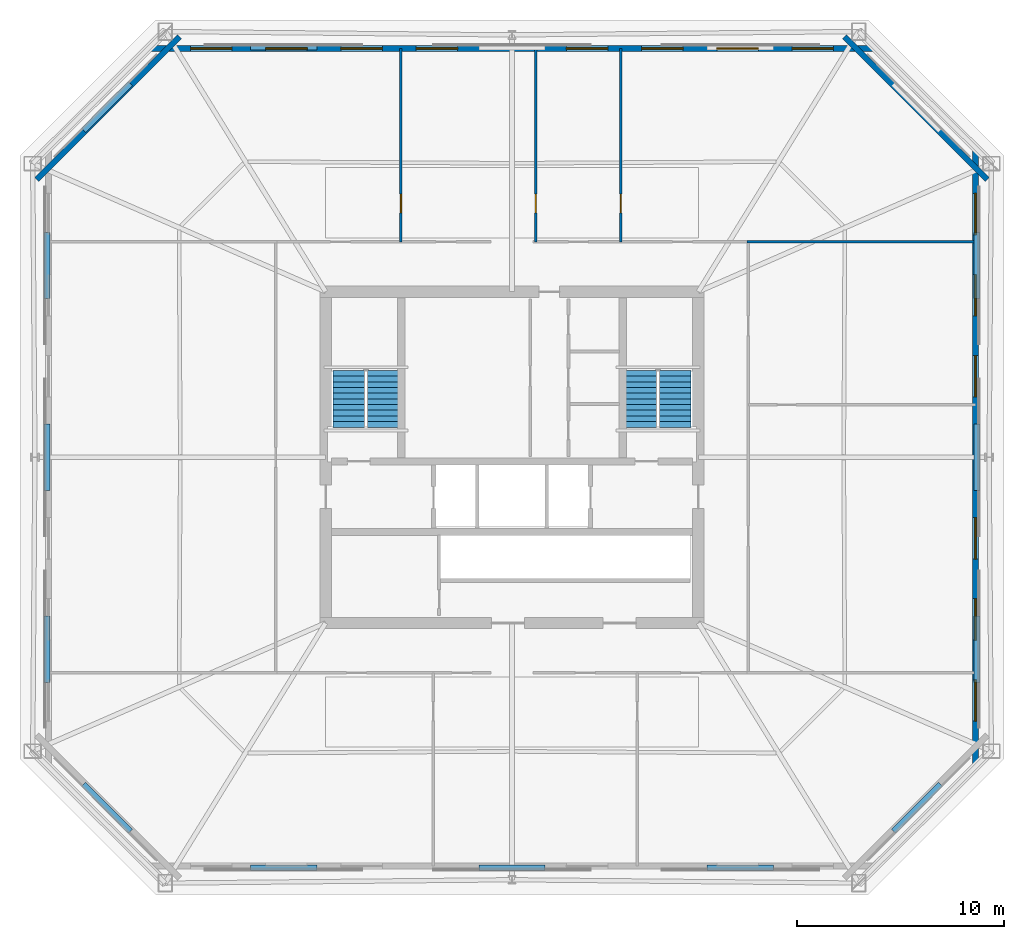
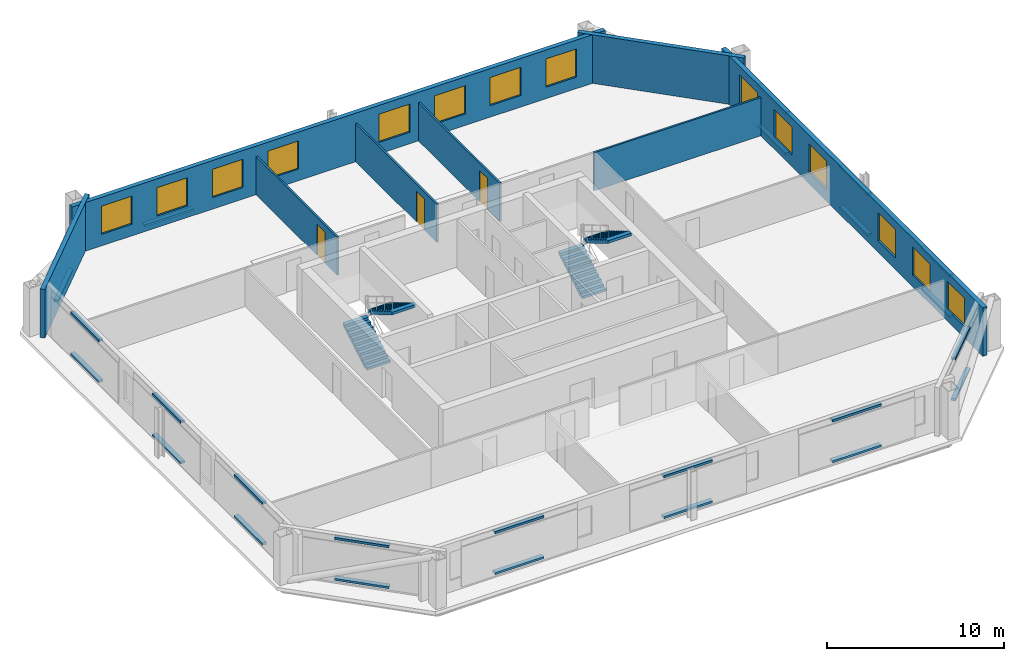
# One storey, part 4 of 7: 25 discrete accessories, 14 windows, 8 walls, 4 stair flights, 3 doors, 17 openings, 2 elements without a shape of their own.
"""IFC4 building model written with IfcOpenShell, lengths in metres."""

from ifc_helpers import new_model, si_unit, direction, frame, frame_2d, origin, origin_2d, place, context, subcontext, project, spatial, polyline, rectangle, outline, extrude, material, layer, layer_set, type_object, element, fill, aggregate, save


model = new_model("IFC4")

# Units and contexts
model_context = context("Model", 3, precision=1e-05, world=origin(), true_north=direction((0.0, 1.0)))
body_context = subcontext(model_context, "Body", "Model", "MODEL_VIEW")
ifc_project = project(units=[si_unit("LENGTHUNIT", "METRE"), si_unit("AREAUNIT", "SQUARE_METRE"), si_unit("VOLUMEUNIT", "CUBIC_METRE"), si_unit("PLANEANGLEUNIT", "RADIAN"), si_unit("MASSUNIT", "GRAM", prefix="KILO")], contexts=[model_context])

# Site, building, storey
site_placement = place(None, origin())
site = spatial("IfcSite", under=ifc_project, at=site_placement, CompositionType="ELEMENT")
building_placement = place(site_placement, origin())
building = spatial("IfcBuilding", under=site, at=building_placement, Name="Caelvoria Tower", CompositionType="ELEMENT")
storey_placement = place(building_placement, frame((0.0, 0.0, 177.0)))
storey = spatial("IfcBuildingStorey", under=building, at=storey_placement, Name="L46", CompositionType="ELEMENT", Elevation=177.0)

# Wall, openings, windows
ifc_material_1 = material(Name="Precast Concrete C40/50 with Bronze Cladding", Category="concrete")
ifc_layer_1 = layer(ifc_material_1, 0.280029296875, Name="Precast Concrete C40/50 with Bronze Cladding")
ifc_layer_set_1 = layer_set([ifc_layer_1], Name="Exterior Precast Concrete C40/50 Bronze-Clad Facade Wall 280 - Precast Concrete C40/50 with Bronze Cladding")
wall_type_1 = type_object("IfcWallType", Name="Exterior Precast Concrete C40/50 Bronze-Clad Facade Wall 280", PredefinedType="STANDARD", material=ifc_layer_set_1)
wall_1_placement = place(storey_placement, frame((68.3798828125, 17.199951171875, 0.0), z_axis=(0.0, 0.0, 1.0), x_axis=(0.0, 1.0, 0.0)))
wall_1 = element("IfcWall", 1, at=wall_1_placement, inside=storey, type_object=wall_type_1, Name="Exterior Facade Wall L46-E2", PredefinedType="STANDARD", context=body_context, shape_type="SweptSolid", body=[
    extrude(rectangle(XDim=29.60009765625, YDim=0.280029296875, at=frame_2d((14.800048828125, 0.0))), origin(), (0.0, 0.0, 1.0), 3.360107421875),
])
opening_1_placement = place(wall_1_placement, frame((2.05712890625, 0.0, 0.800048828125)))
opening_1 = element("IfcOpeningElement", 2, at=opening_1_placement, cuts=wall_1, Name="Opening WN-01", PredefinedType="OPENING", context=body_context, shape_type="SweptSolid", body=[
    extrude(rectangle(XDim=2.0, YDim=1.949951171875, at=frame_2d((1.0, 0.97509765625))), frame((0.0, 0.14990234375, 0.0), z_axis=(0.0, -1.0, 0.0), x_axis=(1.0, 0.0, 0.0)), (0.0, 0.0, 1.0), 0.300048828125),
])
opening_2_placement = place(wall_1_placement, frame((5.971435546875, 0.0, 0.800048828125)))
opening_2 = element("IfcOpeningElement", 3, at=opening_2_placement, cuts=wall_1, Name="Opening WN-01", PredefinedType="OPENING", context=body_context, shape_type="SweptSolid", body=[
    extrude(rectangle(XDim=2.0, YDim=1.949951171875, at=frame_2d((1.0, 0.97509765625))), frame((0.0, 0.14990234375, 0.0), z_axis=(0.0, -1.0, 0.0), x_axis=(1.0, 0.0, 0.0)), (0.0, 0.0, 1.0), 0.300048828125),
])
opening_3_placement = place(wall_1_placement, frame((9.8857421875, 0.0, 0.800048828125)))
opening_3 = element("IfcOpeningElement", 4, at=opening_3_placement, cuts=wall_1, Name="Opening WN-01", PredefinedType="OPENING", context=body_context, shape_type="SweptSolid", body=[
    extrude(rectangle(XDim=2.0, YDim=1.949951171875, at=frame_2d((1.0, 0.97509765625))), frame((0.0, 0.14990234375, 0.0), z_axis=(0.0, -1.0, 0.0), x_axis=(1.0, 0.0, 0.0)), (0.0, 0.0, 1.0), 0.300048828125),
])
opening_4_placement = place(wall_1_placement, frame((17.71435546875, 0.0, 0.800048828125)))
opening_4 = element("IfcOpeningElement", 5, at=opening_4_placement, cuts=wall_1, Name="Opening WN-01", PredefinedType="OPENING", context=body_context, shape_type="SweptSolid", body=[
    extrude(rectangle(XDim=2.0, YDim=1.949951171875, at=frame_2d((1.0, 0.97509765625))), frame((0.0, 0.14990234375, 0.0), z_axis=(0.0, -1.0, 0.0), x_axis=(1.0, 0.0, 0.0)), (0.0, 0.0, 1.0), 0.300048828125),
])
opening_5_placement = place(wall_1_placement, frame((21.628662109375, 0.0, 0.800048828125)))
opening_5 = element("IfcOpeningElement", 6, at=opening_5_placement, cuts=wall_1, Name="Opening WN-01", PredefinedType="OPENING", context=body_context, shape_type="SweptSolid", body=[
    extrude(rectangle(XDim=2.0, YDim=1.949951171875, at=frame_2d((1.0, 0.97509765625))), frame((0.0, 0.14990234375, 0.0), z_axis=(0.0, -1.0, 0.0), x_axis=(1.0, 0.0, 0.0)), (0.0, 0.0, 1.0), 0.300048828125),
])
opening_6_placement = place(wall_1_placement, frame((25.54296875, 0.0, 0.800048828125)))
opening_6 = element("IfcOpeningElement", 7, at=opening_6_placement, cuts=wall_1, Name="Opening WN-01", PredefinedType="OPENING", context=body_context, shape_type="SweptSolid", body=[
    extrude(rectangle(XDim=2.0, YDim=1.949951171875, at=frame_2d((1.0, 0.97509765625))), frame((0.0, 0.14990234375, 0.0), z_axis=(0.0, -1.0, 0.0), x_axis=(1.0, 0.0, 0.0)), (0.0, 0.0, 1.0), 0.300048828125),
])
ifc_material_2 = material(Name="Low-E Tinted Glass in Bronze Aluminium Frame", Category="aluminium")
window_type = type_object("IfcWindowType", Name="Tower Office Vision Window 2000x1950", PartitioningType="SINGLE_PANEL", PredefinedType="WINDOW", material=ifc_material_2)
window_1_placement = place(opening_1_placement, origin())
window_1 = element("IfcWindow", 8, at=window_1_placement, inside=storey, type_object=window_type, Name="Facade Window L46-E2-00", OverallHeight=1.949951171875, OverallWidth=2.0, PartitioningType="SINGLE_PANEL", PredefinedType="WINDOW", context=body_context, shape_type="SweptSolid", body=[
    extrude(rectangle(XDim=2.0, YDim=1.949951171875, at=frame_2d((1.0, 0.97509765625))), frame((0.0, 0.030029296875, 0.0), z_axis=(0.0, -1.0, 0.0), x_axis=(1.0, 0.0, 0.0)), (0.0, 0.0, 1.0), 0.06005859375),
])
fill(opening_1, window_1)
window_2_placement = place(opening_2_placement, origin())
window_2 = element("IfcWindow", 9, at=window_2_placement, inside=storey, type_object=window_type, Name="Facade Window L46-E2-01", OverallHeight=1.949951171875, OverallWidth=2.0, PartitioningType="SINGLE_PANEL", PredefinedType="WINDOW", context=body_context, shape_type="SweptSolid", body=[
    extrude(rectangle(XDim=2.0, YDim=1.949951171875, at=frame_2d((1.0, 0.97509765625))), frame((0.0, 0.030029296875, 0.0), z_axis=(0.0, -1.0, 0.0), x_axis=(1.0, 0.0, 0.0)), (0.0, 0.0, 1.0), 0.06005859375),
])
fill(opening_2, window_2)
window_3_placement = place(opening_3_placement, origin())
window_3 = element("IfcWindow", 10, at=window_3_placement, inside=storey, type_object=window_type, Name="Facade Window L46-E2-02", OverallHeight=1.949951171875, OverallWidth=2.0, PartitioningType="SINGLE_PANEL", PredefinedType="WINDOW", context=body_context, shape_type="SweptSolid", body=[
    extrude(rectangle(XDim=2.0, YDim=1.949951171875, at=frame_2d((1.0, 0.97509765625))), frame((0.0, 0.030029296875, 0.0), z_axis=(0.0, -1.0, 0.0), x_axis=(1.0, 0.0, 0.0)), (0.0, 0.0, 1.0), 0.06005859375),
])
fill(opening_3, window_3)
window_4_placement = place(opening_4_placement, origin())
window_4 = element("IfcWindow", 11, at=window_4_placement, inside=storey, type_object=window_type, Name="Facade Window L46-E2-04", OverallHeight=1.949951171875, OverallWidth=2.0, PartitioningType="SINGLE_PANEL", PredefinedType="WINDOW", context=body_context, shape_type="SweptSolid", body=[
    extrude(rectangle(XDim=2.0, YDim=1.949951171875, at=frame_2d((1.0, 0.97509765625))), frame((0.0, 0.030029296875, 0.0), z_axis=(0.0, -1.0, 0.0), x_axis=(1.0, 0.0, 0.0)), (0.0, 0.0, 1.0), 0.06005859375),
])
fill(opening_4, window_4)
window_5_placement = place(opening_5_placement, origin())
window_5 = element("IfcWindow", 12, at=window_5_placement, inside=storey, type_object=window_type, Name="Facade Window L46-E2-05", OverallHeight=1.949951171875, OverallWidth=2.0, PartitioningType="SINGLE_PANEL", PredefinedType="WINDOW", context=body_context, shape_type="SweptSolid", body=[
    extrude(rectangle(XDim=2.0, YDim=1.949951171875, at=frame_2d((1.0, 0.97509765625))), frame((0.0, 0.030029296875, 0.0), z_axis=(0.0, -1.0, 0.0), x_axis=(1.0, 0.0, 0.0)), (0.0, 0.0, 1.0), 0.06005859375),
])
fill(opening_5, window_5)
window_6_placement = place(opening_6_placement, origin())
window_6 = element("IfcWindow", 13, at=window_6_placement, inside=storey, type_object=window_type, Name="Facade Window L46-E2-06", OverallHeight=1.949951171875, OverallWidth=2.0, PartitioningType="SINGLE_PANEL", PredefinedType="WINDOW", context=body_context, shape_type="SweptSolid", body=[
    extrude(rectangle(XDim=2.0, YDim=1.949951171875, at=frame_2d((1.0, 0.97509765625))), frame((0.0, 0.030029296875, 0.0), z_axis=(0.0, -1.0, 0.0), x_axis=(1.0, 0.0, 0.0)), (0.0, 0.0, 1.0), 0.06005859375),
])
fill(opening_6, window_6)

# Wall
wall_2_placement = place(storey_placement, frame((68.953857421875, 45.41455078125, 0.0), z_axis=(0.0, 0.0, 1.0), x_axis=(-0.707106781187, 0.707106781187, 0.0)))
element("IfcWall", 14, at=wall_2_placement, inside=storey, type_object=wall_type_1, Name="Exterior Facade Wall L46-E3", PredefinedType="STANDARD", context=body_context, shape_type="SweptSolid", body=[
    extrude(rectangle(XDim=9.75732421875, YDim=0.280029296875, at=frame_2d((4.878662109375, 0.0))), origin(), (0.0, 0.0, 1.0), 3.360107421875),
])

# Wall, openings, windows
wall_3_placement = place(storey_placement, frame((63.43994140625, 51.739990234375, 0.0), z_axis=(0.0, 0.0, 1.0), x_axis=(-1.0, 0.0, 0.0)))
wall_3 = element("IfcWall", 15, at=wall_3_placement, inside=storey, type_object=wall_type_1, Name="Exterior Facade Wall L46-E4", PredefinedType="STANDARD", context=body_context, shape_type="SweptSolid", body=[
    extrude(rectangle(XDim=34.8798828125, YDim=0.280029296875, at=frame_2d((17.43994140625, 0.0))), origin(), (0.0, 0.0, 1.0), 3.360107421875),
])
opening_7_placement = place(wall_3_placement, frame((1.91552734375, 0.0, 0.800048828125)))
opening_7 = element("IfcOpeningElement", 16, at=opening_7_placement, cuts=wall_3, Name="Opening WN-01", PredefinedType="OPENING", context=body_context, shape_type="SweptSolid", body=[
    extrude(rectangle(XDim=2.0, YDim=1.949951171875, at=frame_2d((1.0, 0.97509765625))), frame((0.0, 0.14990234375, 0.0), z_axis=(0.0, -1.0, 0.0), x_axis=(1.0, 0.0, 0.0)), (0.0, 0.0, 1.0), 0.300048828125),
])
opening_8_placement = place(wall_3_placement, frame((5.546630859375, 0.0, 0.800048828125)))
opening_8 = element("IfcOpeningElement", 17, at=opening_8_placement, cuts=wall_3, Name="Opening WN-01", PredefinedType="OPENING", context=body_context, shape_type="SweptSolid", body=[
    extrude(rectangle(XDim=2.0, YDim=1.949951171875, at=frame_2d((1.0, 0.97509765625))), frame((0.0, 0.14990234375, 0.0), z_axis=(0.0, -1.0, 0.0), x_axis=(1.0, 0.0, 0.0)), (0.0, 0.0, 1.0), 0.300048828125),
])
opening_9_placement = place(wall_3_placement, frame((9.177734375, 0.0, 0.800048828125)))
opening_9 = element("IfcOpeningElement", 18, at=opening_9_placement, cuts=wall_3, Name="Opening WN-01", PredefinedType="OPENING", context=body_context, shape_type="SweptSolid", body=[
    extrude(rectangle(XDim=2.0, YDim=1.949951171875, at=frame_2d((1.0, 0.97509765625))), frame((0.0, 0.14990234375, 0.0), z_axis=(0.0, -1.0, 0.0), x_axis=(1.0, 0.0, 0.0)), (0.0, 0.0, 1.0), 0.300048828125),
])
opening_10_placement = place(wall_3_placement, frame((12.808837890625, 0.0, 0.800048828125)))
opening_10 = element("IfcOpeningElement", 19, at=opening_10_placement, cuts=wall_3, Name="Opening WN-01", PredefinedType="OPENING", context=body_context, shape_type="SweptSolid", body=[
    extrude(rectangle(XDim=2.0, YDim=1.949951171875, at=frame_2d((1.0, 0.97509765625))), frame((0.0, 0.14990234375, 0.0), z_axis=(0.0, -1.0, 0.0), x_axis=(1.0, 0.0, 0.0)), (0.0, 0.0, 1.0), 0.300048828125),
])
opening_11_placement = place(wall_3_placement, frame((20.071044921875, 0.0, 0.800048828125)))
opening_11 = element("IfcOpeningElement", 20, at=opening_11_placement, cuts=wall_3, Name="Opening WN-01", PredefinedType="OPENING", context=body_context, shape_type="SweptSolid", body=[
    extrude(rectangle(XDim=2.0, YDim=1.949951171875, at=frame_2d((1.0, 0.97509765625))), frame((0.0, 0.14990234375, 0.0), z_axis=(0.0, -1.0, 0.0), x_axis=(1.0, 0.0, 0.0)), (0.0, 0.0, 1.0), 0.300048828125),
])
opening_12_placement = place(wall_3_placement, frame((23.7021484375, 0.0, 0.800048828125)))
opening_12 = element("IfcOpeningElement", 21, at=opening_12_placement, cuts=wall_3, Name="Opening WN-01", PredefinedType="OPENING", context=body_context, shape_type="SweptSolid", body=[
    extrude(rectangle(XDim=2.0, YDim=1.949951171875, at=frame_2d((1.0, 0.97509765625))), frame((0.0, 0.14990234375, 0.0), z_axis=(0.0, -1.0, 0.0), x_axis=(1.0, 0.0, 0.0)), (0.0, 0.0, 1.0), 0.300048828125),
])
opening_13_placement = place(wall_3_placement, frame((27.333251953125, 0.0, 0.800048828125)))
opening_13 = element("IfcOpeningElement", 22, at=opening_13_placement, cuts=wall_3, Name="Opening WN-01", PredefinedType="OPENING", context=body_context, shape_type="SweptSolid", body=[
    extrude(rectangle(XDim=2.0, YDim=1.949951171875, at=frame_2d((1.0, 0.97509765625))), frame((0.0, 0.14990234375, 0.0), z_axis=(0.0, -1.0, 0.0), x_axis=(1.0, 0.0, 0.0)), (0.0, 0.0, 1.0), 0.300048828125),
])
opening_14_placement = place(wall_3_placement, frame((30.96435546875, 0.0, 0.800048828125)))
opening_14 = element("IfcOpeningElement", 23, at=opening_14_placement, cuts=wall_3, Name="Opening WN-01", PredefinedType="OPENING", context=body_context, shape_type="SweptSolid", body=[
    extrude(rectangle(XDim=2.0, YDim=1.949951171875, at=frame_2d((1.0, 0.97509765625))), frame((0.0, 0.14990234375, 0.0), z_axis=(0.0, -1.0, 0.0), x_axis=(1.0, 0.0, 0.0)), (0.0, 0.0, 1.0), 0.300048828125),
])
window_7_placement = place(opening_7_placement, origin())
window_7 = element("IfcWindow", 24, at=window_7_placement, inside=storey, type_object=window_type, Name="Facade Window L46-E4-00", OverallHeight=1.949951171875, OverallWidth=2.0, PartitioningType="SINGLE_PANEL", PredefinedType="WINDOW", context=body_context, shape_type="SweptSolid", body=[
    extrude(rectangle(XDim=2.0, YDim=1.949951171875, at=frame_2d((1.0, 0.97509765625))), frame((0.0, 0.030029296875, 0.0), z_axis=(0.0, -1.0, 0.0), x_axis=(1.0, 0.0, 0.0)), (0.0, 0.0, 1.0), 0.06005859375),
])
fill(opening_7, window_7)
window_8_placement = place(opening_8_placement, origin())
window_8 = element("IfcWindow", 25, at=window_8_placement, inside=storey, type_object=window_type, Name="Facade Window L46-E4-01", OverallHeight=1.949951171875, OverallWidth=2.0, PartitioningType="SINGLE_PANEL", PredefinedType="WINDOW", context=body_context, shape_type="SweptSolid", body=[
    extrude(rectangle(XDim=2.0, YDim=1.949951171875, at=frame_2d((1.0, 0.97509765625))), frame((0.0, 0.030029296875, 0.0), z_axis=(0.0, -1.0, 0.0), x_axis=(1.0, 0.0, 0.0)), (0.0, 0.0, 1.0), 0.06005859375),
])
fill(opening_8, window_8)
window_9_placement = place(opening_9_placement, origin())
window_9 = element("IfcWindow", 26, at=window_9_placement, inside=storey, type_object=window_type, Name="Facade Window L46-E4-02", OverallHeight=1.949951171875, OverallWidth=2.0, PartitioningType="SINGLE_PANEL", PredefinedType="WINDOW", context=body_context, shape_type="SweptSolid", body=[
    extrude(rectangle(XDim=2.0, YDim=1.949951171875, at=frame_2d((1.0, 0.97509765625))), frame((0.0, 0.030029296875, 0.0), z_axis=(0.0, -1.0, 0.0), x_axis=(1.0, 0.0, 0.0)), (0.0, 0.0, 1.0), 0.06005859375),
])
fill(opening_9, window_9)
window_10_placement = place(opening_10_placement, origin())
window_10 = element("IfcWindow", 27, at=window_10_placement, inside=storey, type_object=window_type, Name="Facade Window L46-E4-03", OverallHeight=1.949951171875, OverallWidth=2.0, PartitioningType="SINGLE_PANEL", PredefinedType="WINDOW", context=body_context, shape_type="SweptSolid", body=[
    extrude(rectangle(XDim=2.0, YDim=1.949951171875, at=frame_2d((1.0, 0.97509765625))), frame((0.0, 0.030029296875, 0.0), z_axis=(0.0, -1.0, 0.0), x_axis=(1.0, 0.0, 0.0)), (0.0, 0.0, 1.0), 0.06005859375),
])
fill(opening_10, window_10)
window_11_placement = place(opening_11_placement, origin())
window_11 = element("IfcWindow", 28, at=window_11_placement, inside=storey, type_object=window_type, Name="Facade Window L46-E4-05", OverallHeight=1.949951171875, OverallWidth=2.0, PartitioningType="SINGLE_PANEL", PredefinedType="WINDOW", context=body_context, shape_type="SweptSolid", body=[
    extrude(rectangle(XDim=2.0, YDim=1.949951171875, at=frame_2d((1.0, 0.97509765625))), frame((0.0, 0.030029296875, 0.0), z_axis=(0.0, -1.0, 0.0), x_axis=(1.0, 0.0, 0.0)), (0.0, 0.0, 1.0), 0.06005859375),
])
fill(opening_11, window_11)
window_12_placement = place(opening_12_placement, origin())
window_12 = element("IfcWindow", 29, at=window_12_placement, inside=storey, type_object=window_type, Name="Facade Window L46-E4-06", OverallHeight=1.949951171875, OverallWidth=2.0, PartitioningType="SINGLE_PANEL", PredefinedType="WINDOW", context=body_context, shape_type="SweptSolid", body=[
    extrude(rectangle(XDim=2.0, YDim=1.949951171875, at=frame_2d((1.0, 0.97509765625))), frame((0.0, 0.030029296875, 0.0), z_axis=(0.0, -1.0, 0.0), x_axis=(1.0, 0.0, 0.0)), (0.0, 0.0, 1.0), 0.06005859375),
])
fill(opening_12, window_12)
window_13_placement = place(opening_13_placement, origin())
window_13 = element("IfcWindow", 30, at=window_13_placement, inside=storey, type_object=window_type, Name="Facade Window L46-E4-07", OverallHeight=1.949951171875, OverallWidth=2.0, PartitioningType="SINGLE_PANEL", PredefinedType="WINDOW", context=body_context, shape_type="SweptSolid", body=[
    extrude(rectangle(XDim=2.0, YDim=1.949951171875, at=frame_2d((1.0, 0.97509765625))), frame((0.0, 0.030029296875, 0.0), z_axis=(0.0, -1.0, 0.0), x_axis=(1.0, 0.0, 0.0)), (0.0, 0.0, 1.0), 0.06005859375),
])
fill(opening_13, window_13)
window_14_placement = place(opening_14_placement, origin())
window_14 = element("IfcWindow", 31, at=window_14_placement, inside=storey, type_object=window_type, Name="Facade Window L46-E4-08", OverallHeight=1.949951171875, OverallWidth=2.0, PartitioningType="SINGLE_PANEL", PredefinedType="WINDOW", context=body_context, shape_type="SweptSolid", body=[
    extrude(rectangle(XDim=2.0, YDim=1.949951171875, at=frame_2d((1.0, 0.97509765625))), frame((0.0, 0.030029296875, 0.0), z_axis=(0.0, -1.0, 0.0), x_axis=(1.0, 0.0, 0.0)), (0.0, 0.0, 1.0), 0.06005859375),
])
fill(opening_14, window_14)

# Wall
wall_4_placement = place(storey_placement, frame((29.945556640625, 52.31396484375, 0.0), z_axis=(0.0, 0.0, 1.0), x_axis=(-0.707106781187, -0.707106781187, 0.0)))
element("IfcWall", 32, at=wall_4_placement, inside=storey, type_object=wall_type_1, Name="Exterior Facade Wall L46-E5", PredefinedType="STANDARD", context=body_context, shape_type="SweptSolid", body=[
    extrude(rectangle(XDim=9.75732421875, YDim=0.280029296875, at=frame_2d((4.878662109375, 0.0))), origin(), (0.0, 0.0, 1.0), 3.360107421875),
])

# Wall, opening, door
ifc_material_3 = material(Name="Acoustic Gypsum Board on Light-Gauge Stud", Category="gypsum")
ifc_layer_2 = layer(ifc_material_3, 0.1201171875, Name="Acoustic Gypsum Board on Light-Gauge Stud")
ifc_layer_set_2 = layer_set([ifc_layer_2], Name="Tenant Suite Acoustic Partition Wall 120 - Acoustic Gypsum Board on Light-Gauge Stud")
wall_type_2 = type_object("IfcWallType", Name="Tenant Suite Acoustic Partition Wall 120", PredefinedType="PARTITIONING", material=ifc_layer_set_2)
wall_5_placement = place(storey_placement, frame((40.638916015625, 42.409912109375, 0.0), z_axis=(0.0, 0.0, 1.0), x_axis=(0.0, 1.0, 0.0)))
wall_5 = element("IfcWall", 33, at=wall_5_placement, inside=storey, type_object=wall_type_2, Name="Interior Partition IW-L46-ND-00-0", PredefinedType="PARTITIONING", context=body_context, shape_type="SweptSolid", body=[
    extrude(rectangle(XDim=9.330078125, YDim=0.1201171875, at=frame_2d((4.6650390625, 0.0))), origin(), (0.0, 0.0, 1.0), 2.639892578125),
])
opening_15_placement = place(wall_5_placement, frame((1.39990234375, 0.0, 0.0)))
opening_15 = element("IfcOpeningElement", 34, at=opening_15_placement, cuts=wall_5, Name="Opening ID-06", PredefinedType="OPENING", context=body_context, shape_type="SweptSolid", body=[
    extrude(rectangle(XDim=0.89990234375, YDim=2.14990234375, at=frame_2d((0.449951171875, 1.074951171875))), frame((0.0, 0.070068359375, 0.0), z_axis=(0.0, -1.0, 0.0), x_axis=(1.0, 0.0, 0.0)), (0.0, 0.0, 1.0), 0.14013671875),
])
ifc_material_4 = material(Name="Engineered Andean Oak Veneer Door", Category="wood")
door_type = type_object("IfcDoorType", Name="Interior Timber Door 900x2150", OperationType="NOTDEFINED", PredefinedType="DOOR", material=ifc_material_4)
door_1_placement = place(opening_15_placement, origin())
door_1 = element("IfcDoor", 35, at=door_1_placement, inside=storey, type_object=door_type, Name="Interior Door DR-L46-NM-00-0", OperationType="SINGLE_SWING_RIGHT", OverallHeight=2.14990234375, OverallWidth=0.89990234375, PredefinedType="DOOR", context=body_context, shape_type="SweptSolid", body=[
    extrude(rectangle(XDim=0.89990234375, YDim=2.14990234375, at=frame_2d((0.449951171875, 1.074951171875))), frame((0.0, 0.02490234375, 0.0), z_axis=(0.0, -1.0, 0.0), x_axis=(1.0, 0.0, 0.0)), (0.0, 0.0, 1.0), 0.050048828125),
])
fill(opening_15, door_1)

wall_6_placement = place(storey_placement, frame((47.147705078125, 42.409912109375, 0.0), z_axis=(0.0, 0.0, 1.0), x_axis=(0.0, 1.0, 0.0)))
wall_6 = element("IfcWall", 36, at=wall_6_placement, inside=storey, type_object=wall_type_2, Name="Interior Partition IW-L46-ND-01-0", PredefinedType="PARTITIONING", context=body_context, shape_type="SweptSolid", body=[
    extrude(rectangle(XDim=9.330078125, YDim=0.1201171875, at=frame_2d((4.6650390625, 0.0))), origin(), (0.0, 0.0, 1.0), 2.639892578125),
])
opening_16_placement = place(wall_6_placement, frame((1.39990234375, 0.0, 0.0)))
opening_16 = element("IfcOpeningElement", 37, at=opening_16_placement, cuts=wall_6, Name="Opening ID-06", PredefinedType="OPENING", context=body_context, shape_type="SweptSolid", body=[
    extrude(rectangle(XDim=0.89990234375, YDim=2.14990234375, at=frame_2d((0.449951171875, 1.074951171875))), frame((0.0, 0.070068359375, 0.0), z_axis=(0.0, -1.0, 0.0), x_axis=(1.0, 0.0, 0.0)), (0.0, 0.0, 1.0), 0.14013671875),
])
door_2_placement = place(opening_16_placement, origin())
door_2 = element("IfcDoor", 38, at=door_2_placement, inside=storey, type_object=door_type, Name="Interior Door DR-L46-NM-01-0", OperationType="SINGLE_SWING_LEFT", OverallHeight=2.14990234375, OverallWidth=0.89990234375, PredefinedType="DOOR", context=body_context, shape_type="SweptSolid", body=[
    extrude(rectangle(XDim=0.89990234375, YDim=2.14990234375, at=frame_2d((0.449951171875, 1.074951171875))), frame((0.0, 0.02490234375, 0.0), z_axis=(0.0, -1.0, 0.0), x_axis=(1.0, 0.0, 0.0)), (0.0, 0.0, 1.0), 0.050048828125),
])
fill(opening_16, door_2)

wall_7_placement = place(storey_placement, frame((51.2607421875, 42.409912109375, 0.0), z_axis=(0.0, 0.0, 1.0), x_axis=(0.0, 1.0, 0.0)))
wall_7 = element("IfcWall", 39, at=wall_7_placement, inside=storey, type_object=wall_type_2, Name="Interior Partition IW-L46-ND-02-0", PredefinedType="PARTITIONING", context=body_context, shape_type="SweptSolid", body=[
    extrude(rectangle(XDim=9.330078125, YDim=0.1201171875, at=frame_2d((4.6650390625, 0.0))), origin(), (0.0, 0.0, 1.0), 2.639892578125),
])
opening_17_placement = place(wall_7_placement, frame((1.39990234375, 0.0, 0.0)))
opening_17 = element("IfcOpeningElement", 40, at=opening_17_placement, cuts=wall_7, Name="Opening ID-06", PredefinedType="OPENING", context=body_context, shape_type="SweptSolid", body=[
    extrude(rectangle(XDim=0.89990234375, YDim=2.14990234375, at=frame_2d((0.449951171875, 1.074951171875))), frame((0.0, 0.070068359375, 0.0), z_axis=(0.0, -1.0, 0.0), x_axis=(1.0, 0.0, 0.0)), (0.0, 0.0, 1.0), 0.14013671875),
])
door_3_placement = place(opening_17_placement, origin())
door_3 = element("IfcDoor", 41, at=door_3_placement, inside=storey, type_object=door_type, Name="Interior Door DR-L46-NM-02-0", OperationType="SINGLE_SWING_RIGHT", OverallHeight=2.14990234375, OverallWidth=0.89990234375, PredefinedType="DOOR", context=body_context, shape_type="SweptSolid", body=[
    extrude(rectangle(XDim=0.89990234375, YDim=2.14990234375, at=frame_2d((0.449951171875, 1.074951171875))), frame((0.0, 0.02490234375, 0.0), z_axis=(0.0, -1.0, 0.0), x_axis=(1.0, 0.0, 0.0)), (0.0, 0.0, 1.0), 0.050048828125),
])
fill(opening_17, door_3)

# Wall
wall_8_placement = place(storey_placement, frame((57.35009765625, 42.409912109375, 0.0), z_axis=(0.0, 0.0, 1.0), x_axis=(1.0, 0.0, 0.0)))
element("IfcWall", 42, at=wall_8_placement, inside=storey, type_object=wall_type_2, Name="Interior Partition IW-L46-BNE-0", PredefinedType="PARTITIONING", context=body_context, shape_type="SweptSolid", body=[
    extrude(rectangle(XDim=11.02978515625, YDim=0.1201171875, at=frame_2d((5.514892578125, 0.0))), origin(), (0.0, 0.0, 1.0), 2.639892578125),
])

# Stair, stair flights
ifc_material_5 = material(Name="Concrete C40/50", Category="concrete")
stair_type = type_object("IfcStairType", Name="Core Smokeproof Dogleg Stair Concrete C40/50", PredefinedType="HALF_TURN_STAIR", material=ifc_material_5)
stair_1_placement = place(storey_placement, origin())
stair_1 = element("IfcStair", 43, at=stair_1_placement, inside=storey, type_object=stair_type, Name="ST-01 Smokeproof Exit Stair L46", PredefinedType="HALF_TURN_STAIR")
ifc_material_6 = material(Name="Precast Concrete C40/50", Category="concrete")
stair_flight_type = type_object("IfcStairFlightType", Name="Precast Concrete C40/50 Stair Flight 1480", PredefinedType="STRAIGHT", material=ifc_material_6)
stair_flight_1_placement = place(storey_placement, frame((38.1298828125, 33.449951171875, 0.0), z_axis=(0.0, 0.0, 1.0), x_axis=(0.0, 1.0, 0.0)))
stair_flight_1 = element("IfcStairFlight", 44, at=stair_flight_1_placement, type_object=stair_flight_type, Name="ST-01 flight 1", NumberOfRisers=11, NumberOfTreads=10, PredefinedType="STRAIGHT", RiserHeight=0.1636, TreadLength=0.275, context=body_context, shape_type="SweptSolid", body=[
    extrude(outline(polyline([(0.0, 0.0), (0.0, 0.16357421875), (0.27490234375, 0.16357421875), (0.27490234375, 0.3271484375), (0.550048828125, 0.3271484375), (0.550048828125, 0.49072265625), (0.824951171875, 0.49072265625), (0.824951171875, 0.654296875), (1.10009765625, 0.654296875), (1.10009765625, 0.818115234375), (1.375, 0.818115234375), (1.375, 0.981689453125), (1.64990234375, 0.981689453125), (1.64990234375, 1.145263671875), (1.925048828125, 1.145263671875), (1.925048828125, 1.308837890625), (2.199951171875, 1.308837890625), (2.199951171875, 1.472412109375), (2.47509765625, 1.472412109375), (2.47509765625, 1.635986328125), (2.75, 1.635986328125), (2.75, 1.799560546875), (2.75, 1.449951171875), (0.312744140625, 0.0), (0.0, 0.0)])), frame((0.0, 0.77001953125, 0.0), z_axis=(0.0, -1.0, 0.0), x_axis=(1.0, 0.0, 0.0)), (0.0, 0.0, 1.0), 1.5400390625),
])
stair_flight_2_placement = place(storey_placement, frame((39.77001953125, 36.199951171875, 1.800048828125), z_axis=(0.0, 0.0, 1.0), x_axis=(0.0, -1.0, 0.0)))
stair_flight_2 = element("IfcStairFlight", 45, at=stair_flight_2_placement, type_object=stair_flight_type, Name="ST-01 flight 2", NumberOfRisers=11, NumberOfTreads=10, PredefinedType="STRAIGHT", RiserHeight=0.1636, TreadLength=0.275, context=body_context, shape_type="SweptSolid", body=[
    extrude(outline(polyline([(0.0, 0.0), (0.0, 0.16357421875), (0.27490234375, 0.16357421875), (0.27490234375, 0.3271484375), (0.550048828125, 0.3271484375), (0.550048828125, 0.49072265625), (0.824951171875, 0.49072265625), (0.824951171875, 0.654296875), (1.10009765625, 0.654296875), (1.10009765625, 0.818115234375), (1.375, 0.818115234375), (1.375, 0.981689453125), (1.64990234375, 0.981689453125), (1.64990234375, 1.145263671875), (1.925048828125, 1.145263671875), (1.925048828125, 1.308837890625), (2.199951171875, 1.308837890625), (2.199951171875, 1.472412109375), (2.47509765625, 1.472412109375), (2.47509765625, 1.635986328125), (2.75, 1.635986328125), (2.75, 1.799560546875), (2.75, 1.449951171875), (0.312744140625, 0.0), (0.0, 0.0)])), frame((0.0, 0.77001953125, 0.0), z_axis=(0.0, -1.0, 0.0), x_axis=(1.0, 0.0, 0.0)), (0.0, 0.0, 1.0), 1.5400390625),
])
aggregate(stair_1, [stair_flight_1, stair_flight_2])

stair_2_placement = place(storey_placement, origin())
stair_2 = element("IfcStair", 46, at=stair_2_placement, inside=storey, type_object=stair_type, Name="ST-02 Smokeproof Exit Stair L46", PredefinedType="HALF_TURN_STAIR")
stair_flight_3_placement = place(storey_placement, frame((52.22998046875, 33.449951171875, 0.0), z_axis=(0.0, 0.0, 1.0), x_axis=(0.0, 1.0, 0.0)))
stair_flight_3 = element("IfcStairFlight", 47, at=stair_flight_3_placement, type_object=stair_flight_type, Name="ST-02 flight 1", NumberOfRisers=11, NumberOfTreads=10, PredefinedType="STRAIGHT", RiserHeight=0.1636, TreadLength=0.275, context=body_context, shape_type="SweptSolid", body=[
    extrude(outline(polyline([(0.0, 0.0), (0.0, 0.16357421875), (0.27490234375, 0.16357421875), (0.27490234375, 0.3271484375), (0.550048828125, 0.3271484375), (0.550048828125, 0.49072265625), (0.824951171875, 0.49072265625), (0.824951171875, 0.654296875), (1.10009765625, 0.654296875), (1.10009765625, 0.818115234375), (1.375, 0.818115234375), (1.375, 0.981689453125), (1.64990234375, 0.981689453125), (1.64990234375, 1.145263671875), (1.925048828125, 1.145263671875), (1.925048828125, 1.308837890625), (2.199951171875, 1.308837890625), (2.199951171875, 1.472412109375), (2.47509765625, 1.472412109375), (2.47509765625, 1.635986328125), (2.75, 1.635986328125), (2.75, 1.799560546875), (2.75, 1.449951171875), (0.312744140625, 0.0), (0.0, 0.0)])), frame((0.0, 0.77001953125, 0.0), z_axis=(0.0, -1.0, 0.0), x_axis=(1.0, 0.0, 0.0)), (0.0, 0.0, 1.0), 1.5400390625),
])
stair_flight_4_placement = place(storey_placement, frame((53.8701171875, 36.199951171875, 1.800048828125), z_axis=(0.0, 0.0, 1.0), x_axis=(0.0, -1.0, 0.0)))
stair_flight_4 = element("IfcStairFlight", 48, at=stair_flight_4_placement, type_object=stair_flight_type, Name="ST-02 flight 2", NumberOfRisers=11, NumberOfTreads=10, PredefinedType="STRAIGHT", RiserHeight=0.1636, TreadLength=0.275, context=body_context, shape_type="SweptSolid", body=[
    extrude(outline(polyline([(0.0, 0.0), (0.0, 0.16357421875), (0.27490234375, 0.16357421875), (0.27490234375, 0.3271484375), (0.550048828125, 0.3271484375), (0.550048828125, 0.49072265625), (0.824951171875, 0.49072265625), (0.824951171875, 0.654296875), (1.10009765625, 0.654296875), (1.10009765625, 0.818115234375), (1.375, 0.818115234375), (1.375, 0.981689453125), (1.64990234375, 0.981689453125), (1.64990234375, 1.145263671875), (1.925048828125, 1.145263671875), (1.925048828125, 1.308837890625), (2.199951171875, 1.308837890625), (2.199951171875, 1.472412109375), (2.47509765625, 1.472412109375), (2.47509765625, 1.635986328125), (2.75, 1.635986328125), (2.75, 1.799560546875), (2.75, 1.449951171875), (0.312744140625, 0.0), (0.0, 0.0)])), frame((0.0, 0.77001953125, 0.0), z_axis=(0.0, -1.0, 0.0), x_axis=(1.0, 0.0, 0.0)), (0.0, 0.0, 1.0), 1.5400390625),
])
aggregate(stair_2, [stair_flight_3, stair_flight_4])

# Discrete accessories
ifc_material_7 = material(Name="Anodised Bronze Stainless Bracket", Category="bronze")
discrete_accessory_type = type_object("IfcDiscreteAccessoryType", Name="Solar Screen Outrigger Support Bracket", PredefinedType="BRACKET", material=ifc_material_7)
for number, where, z_axis, x_axis, name in (
    (49, (34.973388671875, 12.18310546875, 0.240234375), (0.0, 0.0, 1.0), (1.0, 0.0, 0.0), "Solar Screen Bracket L46-E0-00"),
    (50, (34.973388671875, 12.18310546875, 3.06005859375), (0.0, 0.0, 1.0), (1.0, 0.0, 0.0), "Upper Screen Band Bracket L46-E0-00"),
    (51, (46.0, 12.18310546875, 0.240234375), (0.0, 0.0, 1.0), (1.0, 0.0, 0.0), "Solar Screen Bracket L46-E0-01"),
    (52, (46.0, 12.18310546875, 3.06005859375), (0.0, 0.0, 1.0), (1.0, 0.0, 0.0), "Upper Screen Band Bracket L46-E0-01"),
    (53, (57.026611328125, 12.18310546875, 0.240234375), (0.0, 0.0, 1.0), (1.0, 0.0, 0.0), "Solar Screen Bracket L46-E0-02"),
    (54, (57.026611328125, 12.18310546875, 3.06005859375), (0.0, 0.0, 1.0), (1.0, 0.0, 0.0), "Upper Screen Band Bracket L46-E0-02"),
    (55, (65.55859375, 15.081298828125, 0.240234375), (0.0, 0.0, 1.0), (0.707106781187, 0.707106781187, 0.0), "Solar Screen Bracket L46-E1-00"),
    (56, (65.55859375, 15.081298828125, 3.06005859375), (0.0, 0.0, 1.0), (0.707106781187, 0.707106781187, 0.0), "Upper Screen Band Bracket L46-E1-00"),
    (57, (68.45703125, 22.7333984375, 0.240234375), (0.0, 0.0, 1.0), (0.0, 1.0, 0.0), "Solar Screen Bracket L46-E2-00"),
    (58, (68.45703125, 22.7333984375, 3.06005859375), (0.0, 0.0, 1.0), (0.0, 1.0, 0.0), "Upper Screen Band Bracket L46-E2-00"),
    (59, (68.45703125, 32.0, 0.240234375), (0.0, 0.0, 1.0), (0.0, 1.0, 0.0), "Solar Screen Bracket L46-E2-01"),
    (60, (68.45703125, 32.0, 3.06005859375), (0.0, 0.0, 1.0), (0.0, 1.0, 0.0), "Upper Screen Band Bracket L46-E2-01"),
    (61, (68.45703125, 41.2666015625, 0.240234375), (0.0, 0.0, 1.0), (0.0, 1.0, 0.0), "Solar Screen Bracket L46-E2-02"),
    (62, (68.45703125, 41.2666015625, 3.06005859375), (0.0, 0.0, 1.0), (0.0, 1.0, 0.0), "Upper Screen Band Bracket L46-E2-02"),
    (63, (34.973388671875, 51.81689453125, 0.240234375), (0.0, 0.0, 1.0), (-1.0, 0.0, 0.0), "Solar Screen Bracket L46-E4-02"),
    (64, (26.44140625, 48.918701171875, 0.240234375), (0.0, 0.0, 1.0), (-0.707106781187, -0.707106781187, 0.0), "Solar Screen Bracket L46-E5-00"),
    (65, (26.44140625, 48.918701171875, 3.06005859375), (0.0, 0.0, 1.0), (-0.707106781187, -0.707106781187, 0.0), "Upper Screen Band Bracket L46-E5-00"),
    (66, (23.54296875, 41.2666015625, 0.240234375), (0.0, 0.0, 1.0), (0.0, -1.0, 0.0), "Solar Screen Bracket L46-E6-00"),
    (67, (23.54296875, 41.2666015625, 3.06005859375), (0.0, 0.0, 1.0), (0.0, -1.0, 0.0), "Upper Screen Band Bracket L46-E6-00"),
    (68, (23.54296875, 32.0, 0.240234375), (0.0, 0.0, 1.0), (0.0, -1.0, 0.0), "Solar Screen Bracket L46-E6-01"),
    (69, (23.54296875, 32.0, 3.06005859375), (0.0, 0.0, 1.0), (0.0, -1.0, 0.0), "Upper Screen Band Bracket L46-E6-01"),
    (70, (23.54296875, 22.7333984375, 0.240234375), (0.0, 0.0, 1.0), (0.0, -1.0, 0.0), "Solar Screen Bracket L46-E6-02"),
    (71, (23.54296875, 22.7333984375, 3.06005859375), (0.0, 0.0, 1.0), (0.0, -1.0, 0.0), "Upper Screen Band Bracket L46-E6-02"),
    (72, (26.44140625, 15.081298828125, 0.240234375), (0.0, 0.0, 1.0), (0.707106781187, -0.707106781187, 0.0), "Solar Screen Bracket L46-E7-00"),
    (73, (26.44140625, 15.081298828125, 3.06005859375), (0.0, 0.0, 1.0), (0.707106781187, -0.707106781187, 0.0), "Upper Screen Band Bracket L46-E7-00"),
):
    element("IfcDiscreteAccessory", number, at=place(storey_placement, frame(where, z_axis=z_axis, x_axis=x_axis)), inside=storey, type_object=discrete_accessory_type, Name=name, PredefinedType="BRACKET", context=body_context, shape_type="SweptSolid", body=[
        extrude(rectangle(XDim=3.199951171875, YDim=0.280029296875, at=origin_2d()), origin(), (0.0, 0.0, 1.0), 0.159912109375),
    ])

save(model, "model.ifc")
